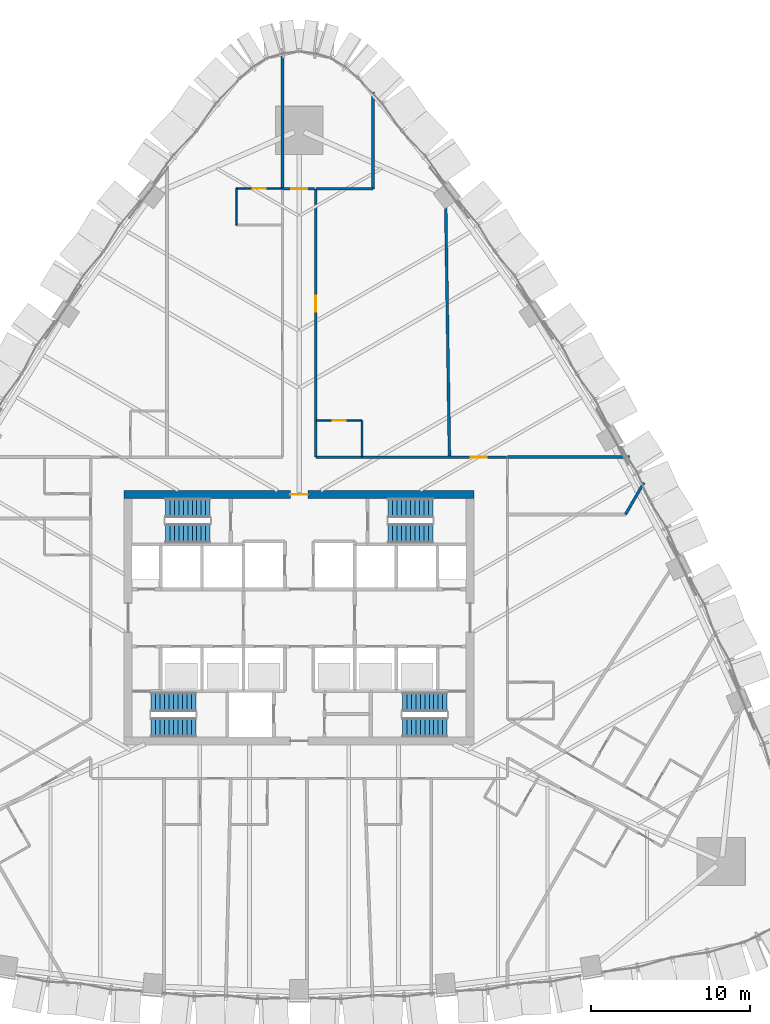
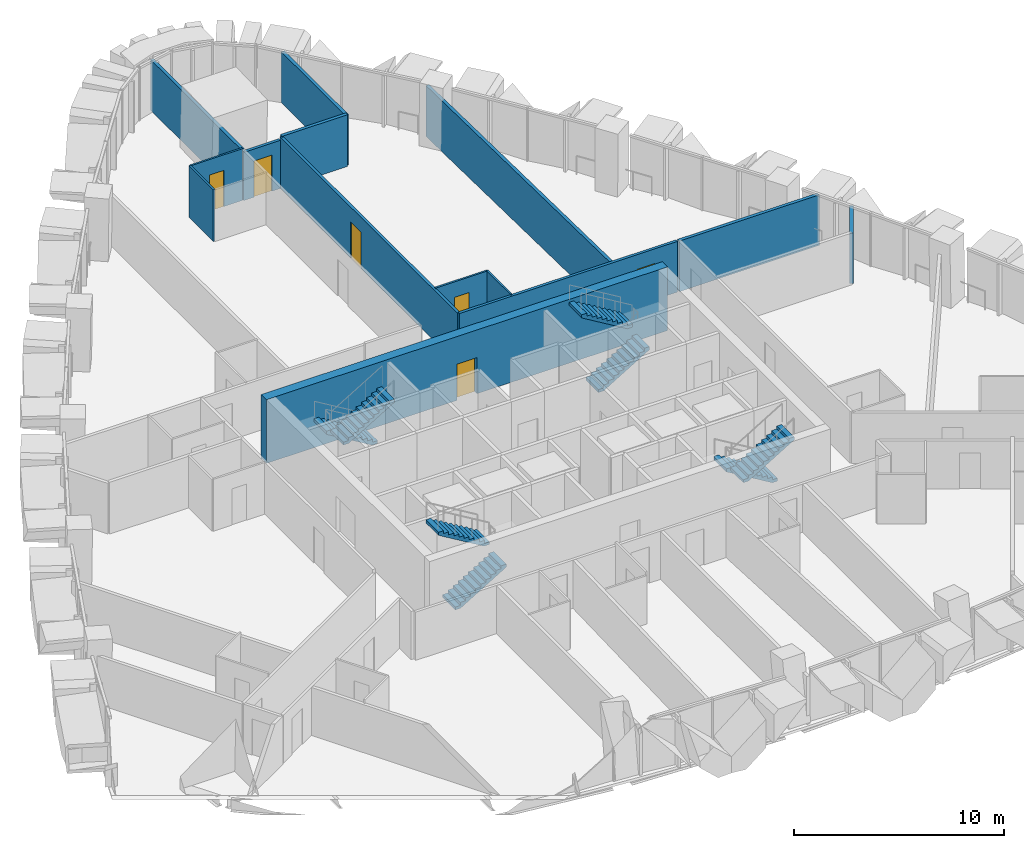
# One storey, part 17 of 23: 14 walls, 8 stair flights, 6 doors, 6 openings, 4 elements without a shape of their own.
"""IFC4 building model written with IfcOpenShell, lengths in metres."""

from ifc_helpers import new_model, si_unit, direction, frame, frame_2d, origin, place, context, subcontext, project, spatial, polyline, rectangle, outline, extrude, material, layer, layer_set, type_object, element, fill, aggregate, save


model = new_model("IFC4")

# Units and contexts
model_context = context("Model", 3, precision=1e-05, world=origin(), true_north=direction((0.0, 1.0)))
body_context = subcontext(model_context, "Body", "Model", "MODEL_VIEW")
ifc_project = project(units=[si_unit("LENGTHUNIT", "METRE"), si_unit("AREAUNIT", "SQUARE_METRE"), si_unit("VOLUMEUNIT", "CUBIC_METRE"), si_unit("PLANEANGLEUNIT", "RADIAN"), si_unit("MASSUNIT", "GRAM", prefix="KILO")], contexts=[model_context])

# Site, building, storey
site_placement = place(None, origin())
site = spatial("IfcSite", under=ifc_project, at=site_placement, CompositionType="ELEMENT")
building_placement = place(site_placement, origin())
building = spatial("IfcBuilding", under=site, at=building_placement, Name="Sierra Prisma Convention Tower", CompositionType="ELEMENT")
storey_placement = place(building_placement, frame((0.0, 0.0, 70.199951171875)))
storey = spatial("IfcBuildingStorey", under=building, at=storey_placement, Name="L13", CompositionType="ELEMENT", Elevation=70.199951171875)

# Wall
ifc_material_1 = material(Name="Gypsum board partition", Category="gypsum")
ifc_layer_1 = layer(ifc_material_1, 0.10009765625)
ifc_layer_set_1 = layer_set([ifc_layer_1], Name="Bathroom partition 100")
wall_type_1 = type_object("IfcWallType", Name="Bathroom partition 100", PredefinedType="PARTITIONING", material=ifc_layer_set_1)
wall_1_placement = place(storey_placement, frame((-3.949951171875, 24.69189453125, 0.0), z_axis=(0.0, 0.0, 1.0), x_axis=(0.0, 1.0, 0.0)))
element("IfcWall", 1, at=wall_1_placement, inside=storey, type_object=wall_type_1, Name="Partition L13 bath 16", PredefinedType="PARTITIONING", context=body_context, shape_type="SweptSolid", body=[
    extrude(rectangle(XDim=2.300048828125, YDim=0.10009765625, at=frame_2d((1.14990234375, 0.0))), origin(), (0.0, 0.0, 1.0), 3.0),
])

# Wall, opening, door
wall_2_placement = place(storey_placement, frame((-3.949951171875, 26.991943359375, 0.0), z_axis=(0.0, 0.0, 1.0), x_axis=(1.0, 0.0, 0.0)))
wall_2 = element("IfcWall", 2, at=wall_2_placement, inside=storey, type_object=wall_type_1, Name="Partition L13 bath 17", PredefinedType="PARTITIONING", context=body_context, shape_type="SweptSolid", body=[
    extrude(rectangle(XDim=2.869873046875, YDim=0.10009765625, at=frame_2d((1.43505859375, 0.0))), origin(), (0.0, 0.0, 1.0), 3.0),
])
opening_1_placement = place(wall_2_placement, frame((1.034912109375, 0.0, 0.0)))
opening_1 = element("IfcOpeningElement", 3, at=opening_1_placement, cuts=wall_2, Name="Opening L13-D003", PredefinedType="OPENING", context=body_context, shape_type="SweptSolid", body=[
    extrude(rectangle(XDim=0.800048828125, YDim=2.10009765625, at=frame_2d((0.39990234375, 1.050048828125))), frame((0.0, 0.050048828125, 0.0), z_axis=(0.0, -1.0, 0.0), x_axis=(1.0, 0.0, 0.0)), (0.0, 0.0, 1.0), 0.10009765625),
])
ifc_material_2 = material(Name="Solid core timber door leaf", Category="wood")
door_type_1 = type_object("IfcDoorType", Name="Door 800x2100 plain", OperationType="SINGLE_SWING_LEFT", PredefinedType="DOOR", material=ifc_material_2)
door_1_placement = place(opening_1_placement, origin())
door_1 = element("IfcDoor", 4, at=door_1_placement, inside=storey, type_object=door_type_1, Name="Door L13 9", OperationType="SINGLE_SWING_RIGHT", OverallHeight=2.10009765625, OverallWidth=0.800048828125, PredefinedType="DOOR", context=body_context, shape_type="SweptSolid", body=[
    extrude(rectangle(XDim=0.800048828125, YDim=2.10009765625, at=frame_2d((0.39990234375, 1.050048828125))), frame((0.0, 0.02490234375, 0.0), z_axis=(0.0, -1.0, 0.0), x_axis=(1.0, 0.0, 0.0)), (0.0, 0.0, 1.0), 0.050048828125),
])
fill(opening_1, door_1)

wall_3_placement = place(storey_placement, frame((1.080078125, 12.39990234375, 0.0), z_axis=(0.0, 0.0, 1.0), x_axis=(1.0, 0.0, 0.0)))
wall_3 = element("IfcWall", 5, at=wall_3_placement, inside=storey, type_object=wall_type_1, Name="Partition L13 bath 18", PredefinedType="PARTITIONING", context=body_context, shape_type="SweptSolid", body=[
    extrude(rectangle(XDim=2.869873046875, YDim=0.10009765625, at=frame_2d((1.43505859375, 0.0))), origin(), (0.0, 0.0, 1.0), 3.0),
])
opening_2_placement = place(wall_3_placement, frame((1.034912109375, 0.0, 0.0)))
opening_2 = element("IfcOpeningElement", 6, at=opening_2_placement, cuts=wall_3, Name="Opening L13-D002", PredefinedType="OPENING", context=body_context, shape_type="SweptSolid", body=[
    extrude(rectangle(XDim=0.800048828125, YDim=2.10009765625, at=frame_2d((0.39990234375, 1.050048828125))), frame((0.0, 0.050048828125, 0.0), z_axis=(0.0, -1.0, 0.0), x_axis=(1.0, 0.0, 0.0)), (0.0, 0.0, 1.0), 0.10009765625),
])
door_2_placement = place(opening_2_placement, origin())
door_2 = element("IfcDoor", 7, at=door_2_placement, inside=storey, type_object=door_type_1, Name="Door L13 6", OperationType="SINGLE_SWING_LEFT", OverallHeight=2.10009765625, OverallWidth=0.800048828125, PredefinedType="DOOR", context=body_context, shape_type="SweptSolid", body=[
    extrude(rectangle(XDim=0.800048828125, YDim=2.10009765625, at=frame_2d((0.39990234375, 1.050048828125))), frame((0.0, 0.02490234375, 0.0), z_axis=(0.0, -1.0, 0.0), x_axis=(1.0, 0.0, 0.0)), (0.0, 0.0, 1.0), 0.050048828125),
])
fill(opening_2, door_2)

# Wall
wall_4_placement = place(storey_placement, frame((3.949951171875, 12.39990234375, 0.0), z_axis=(0.0, 0.0, 1.0), x_axis=(0.0, -1.0, 0.0)))
element("IfcWall", 8, at=wall_4_placement, inside=storey, type_object=wall_type_1, Name="Partition L13 bath 19", PredefinedType="PARTITIONING", context=body_context, shape_type="SweptSolid", body=[
    extrude(rectangle(XDim=2.27001953125, YDim=0.10009765625, at=frame_2d((1.135009765625, 0.0))), origin(), (0.0, 0.0, 1.0), 3.0),
])

# Wall, opening, door
ifc_material_3 = material(Name="Concrete C60/75", Category="concrete")
ifc_layer_2 = layer(ifc_material_3, 0.5)
ifc_layer_set_2 = layer_set([ifc_layer_2], Name="Core wall RC 500 C60/75")
wall_type_2 = type_object("IfcWallType", Name="Core wall RC 500 C60/75", PredefinedType="SHEAR", material=ifc_layer_set_2)
wall_5_placement = place(storey_placement, frame((-11.0, 7.75, 0.0), z_axis=(0.0, 0.0, 1.0), x_axis=(1.0, 0.0, 0.0)))
wall_5 = element("IfcWall", 9, at=wall_5_placement, inside=storey, type_object=wall_type_2, Name="Core wall N L13", PredefinedType="SHEAR", context=body_context, shape_type="SweptSolid", body=[
    extrude(rectangle(XDim=22.0, YDim=0.5, at=frame_2d((11.0, 0.0))), origin(), (0.0, 0.0, 1.0), 3.699951171875),
])
opening_3_placement = place(wall_5_placement, frame((10.449951171875, 0.0, 0.0)))
opening_3 = element("IfcOpeningElement", 10, at=opening_3_placement, cuts=wall_5, Name="Opening L13-D061", PredefinedType="OPENING", context=body_context, shape_type="SweptSolid", body=[
    extrude(rectangle(XDim=1.10009765625, YDim=2.10009765625, at=frame_2d((0.550048828125, 1.050048828125))), frame((0.0, 0.25, 0.0), z_axis=(0.0, -1.0, 0.0), x_axis=(1.0, 0.0, 0.0)), (0.0, 0.0, 1.0), 0.5),
])
ifc_material_4 = material(Name="Steel fire door leaf", Category="steel")
door_type_2 = type_object("IfcDoorType", Name="Door 1100x2100 FD60S", OperationType="SINGLE_SWING_LEFT", PredefinedType="DOOR", material=ifc_material_4)
door_3_placement = place(opening_3_placement, origin())
door_3 = element("IfcDoor", 11, at=door_3_placement, inside=storey, type_object=door_type_2, Name="Door L13 62", OperationType="SINGLE_SWING_RIGHT", OverallHeight=2.10009765625, OverallWidth=1.10009765625, PredefinedType="DOOR", context=body_context, shape_type="SweptSolid", body=[
    extrude(rectangle(XDim=1.10009765625, YDim=2.10009765625, at=frame_2d((0.550048828125, 1.050048828125))), frame((0.0, 0.02490234375, 0.0), z_axis=(0.0, -1.0, 0.0), x_axis=(1.0, 0.0, 0.0)), (0.0, 0.0, 1.0), 0.050048828125),
])
fill(opening_3, door_3)

ifc_material_5 = material(Name="Gypsum board partition", Category="gypsum")
ifc_layer_3 = layer(ifc_material_5, 0.14990234375)
ifc_layer_set_3 = layer_set([ifc_layer_3], Name="Corridor wall 150 gypsum EI 60")
wall_type_3 = type_object("IfcWallType", Name="Corridor wall 150 gypsum EI 60", PredefinedType="PARTITIONING", material=ifc_layer_set_3)
wall_6_placement = place(storey_placement, frame((0.969970703125, 26.971923828125, 0.0), z_axis=(0.0, 0.0, 1.0), x_axis=(-1.0, 0.0, 0.0)))
wall_6 = element("IfcWall", 12, at=wall_6_placement, inside=storey, type_object=wall_type_3, Name="Partition L13 corr 8", PredefinedType="PARTITIONING", context=body_context, shape_type="SweptSolid", body=[
    extrude(rectangle(XDim=2.02001953125, YDim=0.14990234375, at=frame_2d((1.010009765625, 0.0))), origin(), (0.0, 0.0, 1.0), 2.797119140625),
])
opening_4_placement = place(wall_6_placement, frame((0.4599609375, 0.0, 0.0)))
opening_4 = element("IfcOpeningElement", 13, at=opening_4_placement, cuts=wall_6, Name="Opening L13-D043", PredefinedType="OPENING", context=body_context, shape_type="SweptSolid", body=[
    extrude(rectangle(XDim=1.0, YDim=2.10009765625, at=frame_2d((0.5, 1.050048828125))), frame((0.0, 0.074951171875, 0.0), z_axis=(0.0, -1.0, 0.0), x_axis=(1.0, 0.0, 0.0)), (0.0, 0.0, 1.0), 0.14990234375),
])
ifc_material_6 = material(Name="Steel fire door leaf", Category="steel")
door_type_3 = type_object("IfcDoorType", Name="Door 1000x2100 FD30S", OperationType="SINGLE_SWING_LEFT", PredefinedType="DOOR", material=ifc_material_6)
door_4_placement = place(opening_4_placement, origin())
door_4 = element("IfcDoor", 14, at=door_4_placement, inside=storey, type_object=door_type_3, Name="Door L13 7", OperationType="SINGLE_SWING_LEFT", OverallHeight=2.10009765625, OverallWidth=1.0, PredefinedType="DOOR", context=body_context, shape_type="SweptSolid", body=[
    extrude(rectangle(XDim=1.0, YDim=2.10009765625, at=frame_2d((0.5, 1.050048828125))), frame((0.0, 0.02490234375, 0.0), z_axis=(0.0, -1.0, 0.0), x_axis=(1.0, 0.0, 0.0)), (0.0, 0.0, 1.0), 0.050048828125),
])
fill(opening_4, door_4)

wall_7_placement = place(storey_placement, frame((13.02001953125, 10.10009765625, 0.0), z_axis=(0.0, 0.0, 1.0), x_axis=(-1.0, 0.0, 0.0)))
wall_7 = element("IfcWall", 15, at=wall_7_placement, inside=storey, type_object=wall_type_3, Name="Partition L13 corr 11", PredefinedType="PARTITIONING", context=body_context, shape_type="SweptSolid", body=[
    extrude(rectangle(XDim=11.969970703125, YDim=0.14990234375, at=frame_2d((5.98486328125, 0.0))), origin(), (0.0, 0.0, 1.0), 2.947021484375),
])
opening_5_placement = place(wall_7_placement, frame((1.235107421875, 0.0, 0.0)))
opening_5 = element("IfcOpeningElement", 16, at=opening_5_placement, cuts=wall_7, Name="Opening L13-D041", PredefinedType="OPENING", context=body_context, shape_type="SweptSolid", body=[
    extrude(rectangle(XDim=1.0, YDim=2.10009765625, at=frame_2d((0.5, 1.050048828125))), frame((0.0, 0.074951171875, 0.0), z_axis=(0.0, -1.0, 0.0), x_axis=(1.0, 0.0, 0.0)), (0.0, 0.0, 1.0), 0.14990234375),
])
door_5_placement = place(opening_5_placement, origin())
door_5 = element("IfcDoor", 17, at=door_5_placement, inside=storey, type_object=door_type_3, Name="Door L13 4", OperationType="SINGLE_SWING_LEFT", OverallHeight=2.10009765625, OverallWidth=1.0, PredefinedType="DOOR", context=body_context, shape_type="SweptSolid", body=[
    extrude(rectangle(XDim=1.0, YDim=2.10009765625, at=frame_2d((0.5, 1.050048828125))), frame((0.0, 0.02490234375, 0.0), z_axis=(0.0, -1.0, 0.0), x_axis=(1.0, 0.0, 0.0)), (0.0, 0.0, 1.0), 0.050048828125),
])
fill(opening_5, door_5)

wall_8_placement = place(storey_placement, frame((1.050048828125, 10.10009765625, 0.0), z_axis=(0.0, 0.0, 1.0), x_axis=(0.0, 1.0, 0.0)))
wall_8 = element("IfcWall", 18, at=wall_8_placement, inside=storey, type_object=wall_type_3, Name="Partition L13 corr 12", PredefinedType="PARTITIONING", context=body_context, shape_type="SweptSolid", body=[
    extrude(rectangle(XDim=16.871826171875, YDim=0.14990234375, at=frame_2d((8.43603515625, 0.0))), origin(), (0.0, 0.0, 1.0), 2.947021484375),
])
opening_6_placement = place(wall_8_placement, frame((9.135986328125, 0.0, 0.0)))
opening_6 = element("IfcOpeningElement", 19, at=opening_6_placement, cuts=wall_8, Name="Opening L13-D042", PredefinedType="OPENING", context=body_context, shape_type="SweptSolid", body=[
    extrude(rectangle(XDim=1.0, YDim=2.10009765625, at=frame_2d((0.5, 1.050048828125))), frame((0.0, 0.074951171875, 0.0), z_axis=(0.0, -1.0, 0.0), x_axis=(1.0, 0.0, 0.0)), (0.0, 0.0, 1.0), 0.14990234375),
])
door_6_placement = place(opening_6_placement, origin())
door_6 = element("IfcDoor", 20, at=door_6_placement, inside=storey, type_object=door_type_3, Name="Door L13 5", OperationType="SINGLE_SWING_RIGHT", OverallHeight=2.10009765625, OverallWidth=1.0, PredefinedType="DOOR", context=body_context, shape_type="SweptSolid", body=[
    extrude(rectangle(XDim=1.0, YDim=2.10009765625, at=frame_2d((0.5, 1.050048828125))), frame((0.0, 0.02490234375, 0.0), z_axis=(0.0, -1.0, 0.0), x_axis=(1.0, 0.0, 0.0)), (0.0, 0.0, 1.0), 0.050048828125),
])
fill(opening_6, door_6)

# Walls
ifc_material_7 = material(Name="Acoustic gypsum board partition", Category="gypsum")
ifc_layer_4 = layer(ifc_material_7, 0.175048828125)
ifc_layer_set_4 = layer_set([ifc_layer_4], Name="Guest room party wall 175 acoustic EI 60")
wall_type_4 = type_object("IfcWallType", Name="Guest room party wall 175 acoustic EI 60", PredefinedType="PARTITIONING", material=ifc_layer_set_4)
wall_9_placement = place(storey_placement, frame((-1.050048828125, 35.609375, 0.0), z_axis=(0.0, 0.0, 1.0), x_axis=(0.0, -1.0, 0.0)))
element("IfcWall", 21, at=wall_9_placement, inside=storey, type_object=wall_type_4, Name="Partition L13 hparty 11", PredefinedType="PARTITIONING", context=body_context, shape_type="SweptSolid", body=[
    extrude(rectangle(XDim=8.637451171875, YDim=0.175048828125, at=frame_2d((4.31884765625, 0.0))), origin(), (0.0, 0.0, 1.0), 2.93408203125),
])
wall_10_placement = place(storey_placement, frame((1.050048828125, 26.971923828125, 0.0), z_axis=(0.0, 0.0, 1.0), x_axis=(1.0, 0.0, 0.0)))
element("IfcWall", 22, at=wall_10_placement, inside=storey, type_object=wall_type_4, Name="Partition L13 hparty 13", PredefinedType="PARTITIONING", context=body_context, shape_type="SweptSolid", body=[
    extrude(rectangle(XDim=3.599853515625, YDim=0.175048828125, at=frame_2d((1.7998046875, 0.0))), origin(), (0.0, 0.0, 1.0), 3.0),
])
wall_11_placement = place(storey_placement, frame((4.64990234375, 26.971923828125, 0.0), z_axis=(0.0, 0.0, 1.0), x_axis=(0.0, 1.0, 0.0)))
element("IfcWall", 23, at=wall_11_placement, inside=storey, type_object=wall_type_4, Name="Partition L13 hparty 14", PredefinedType="PARTITIONING", context=body_context, shape_type="SweptSolid", body=[
    extrude(rectangle(XDim=6.092529296875, YDim=0.175048828125, at=frame_2d((3.04638671875, 0.0))), origin(), (0.0, 0.0, 1.0), 2.93408203125),
])
wall_12_placement = place(storey_placement, frame((9.197021484375, 27.1845703125, 0.0), z_axis=(0.0, 0.0, 1.0), x_axis=(0.014803030732, -0.999890429138, 0.0)))
element("IfcWall", 24, at=wall_12_placement, inside=storey, type_object=wall_type_4, Name="Partition L13 hparty 17", PredefinedType="PARTITIONING", context=body_context, shape_type="SweptSolid", body=[
    extrude(rectangle(XDim=17.08642578125, YDim=0.175048828125, at=frame_2d((8.543212890625, 0.0))), origin(), (0.0, 0.0, 1.0), 2.947021484375),
])
wall_13_placement = place(storey_placement, frame((20.519287109375, 6.5, 0.0), z_axis=(0.0, 0.0, 1.0), x_axis=(0.500040764516, 0.866001867101, 0.0)))
element("IfcWall", 25, at=wall_13_placement, inside=storey, type_object=wall_type_4, Name="Partition L13 hparty 21", PredefinedType="PARTITIONING", context=body_context, shape_type="SweptSolid", body=[
    extrude(rectangle(XDim=2.301513671875, YDim=0.175048828125, at=frame_2d((1.15087890625, 0.0))), origin(), (0.0, 0.0, 1.0), 2.93408203125),
])
wall_14_placement = place(storey_placement, frame((13.10009765625, 10.10009765625, 0.0), z_axis=(0.0, 0.0, 1.0), x_axis=(1.0, 0.0, 0.0)))
element("IfcWall", 26, at=wall_14_placement, inside=storey, type_object=wall_type_4, Name="Partition L13 hparty 22", PredefinedType="PARTITIONING", context=body_context, shape_type="SweptSolid", body=[
    extrude(rectangle(XDim=7.681884765625, YDim=0.175048828125, at=frame_2d((3.8408203125, 0.0))), origin(), (0.0, 0.0, 1.0), 2.93408203125),
])

# Stair, stair flights
ifc_material_8 = material(Name="Concrete C30/37", Category="concrete")
stair_type = type_object("IfcStairType", Name="Stair dog-leg 1200 RC", PredefinedType="HALF_TURN_STAIR", material=ifc_material_8)
stair_1_placement = place(storey_placement, origin())
stair_1 = element("IfcStair", 27, at=stair_1_placement, inside=storey, type_object=stair_type, Name="L13 S1", PredefinedType="HALF_TURN_STAIR")
ifc_material_9 = material(Name="Concrete C30/37", Category="concrete")
stair_flight_type = type_object("IfcStairFlightType", Name="Stair flight RC 1200", PredefinedType="STRAIGHT", material=ifc_material_9)
stair_flight_1_placement = place(storey_placement, frame((-9.300048828125, -6.89990234375, 0.0), z_axis=(0.0, 0.0, 1.0), x_axis=(1.0, 0.0, 0.0)))
stair_flight_1 = element("IfcStairFlight", 28, at=stair_flight_1_placement, type_object=stair_flight_type, Name="S1 flight 1", NumberOfRisers=11, NumberOfTreads=10, PredefinedType="STRAIGHT", RiserHeight=0.168181818, TreadLength=0.28, context=body_context, shape_type="SweptSolid", body=[
    extrude(outline(polyline([(0.0, 0.0), (0.0, 0.168212890625), (0.280029296875, 0.168212890625), (0.280029296875, 0.33642578125), (0.56005859375, 0.33642578125), (0.56005859375, 0.504638671875), (0.840087890625, 0.504638671875), (0.840087890625, 0.672607421875), (1.1201171875, 0.672607421875), (1.1201171875, 0.8408203125), (1.39990234375, 0.8408203125), (1.39990234375, 1.009033203125), (1.679931640625, 1.009033203125), (1.679931640625, 1.17724609375), (1.9599609375, 1.17724609375), (1.9599609375, 1.345458984375), (2.239990234375, 1.345458984375), (2.239990234375, 1.513671875), (2.52001953125, 1.513671875), (2.52001953125, 1.681884765625), (2.800048828125, 1.681884765625), (2.800048828125, 1.85009765625), (2.800048828125, 1.5068359375), (0.291015625, 0.0), (0.0, 0.0)])), frame((0.0, 0.60009765625, 0.0), z_axis=(0.0, -1.0, 0.0), x_axis=(1.0, 0.0, 0.0)), (0.0, 0.0, 1.0), 1.199951171875),
])
stair_flight_2_placement = place(storey_placement, frame((-6.5, -5.300048828125, 1.85009765625), z_axis=(0.0, 0.0, 1.0), x_axis=(-1.0, 0.0, 0.0)))
stair_flight_2 = element("IfcStairFlight", 29, at=stair_flight_2_placement, type_object=stair_flight_type, Name="S1 flight 2", NumberOfRisers=11, NumberOfTreads=10, PredefinedType="STRAIGHT", RiserHeight=0.168181818, TreadLength=0.28, context=body_context, shape_type="SweptSolid", body=[
    extrude(outline(polyline([(0.0, 0.0), (0.0, 0.168212890625), (0.280029296875, 0.168212890625), (0.280029296875, 0.33642578125), (0.56005859375, 0.33642578125), (0.56005859375, 0.504638671875), (0.840087890625, 0.504638671875), (0.840087890625, 0.672607421875), (1.1201171875, 0.672607421875), (1.1201171875, 0.8408203125), (1.39990234375, 0.8408203125), (1.39990234375, 1.009033203125), (1.679931640625, 1.009033203125), (1.679931640625, 1.17724609375), (1.9599609375, 1.17724609375), (1.9599609375, 1.345458984375), (2.239990234375, 1.345458984375), (2.239990234375, 1.513671875), (2.52001953125, 1.513671875), (2.52001953125, 1.681884765625), (2.800048828125, 1.681884765625), (2.800048828125, 1.85009765625), (2.800048828125, 1.5068359375), (0.291015625, 0.0), (0.0, 0.0)])), frame((0.0, 0.60009765625, 0.0), z_axis=(0.0, -1.0, 0.0), x_axis=(1.0, 0.0, 0.0)), (0.0, 0.0, 1.0), 1.199951171875),
])
aggregate(stair_1, [stair_flight_1, stair_flight_2])

stair_2_placement = place(storey_placement, origin())
stair_2 = element("IfcStair", 30, at=stair_2_placement, inside=storey, type_object=stair_type, Name="L13 S2", PredefinedType="HALF_TURN_STAIR")
stair_flight_3_placement = place(storey_placement, frame((9.300048828125, -5.300048828125, 0.0), z_axis=(0.0, 0.0, 1.0), x_axis=(-1.0, 0.0, 0.0)))
stair_flight_3 = element("IfcStairFlight", 31, at=stair_flight_3_placement, type_object=stair_flight_type, Name="S2 flight 1", NumberOfRisers=11, NumberOfTreads=10, PredefinedType="STRAIGHT", RiserHeight=0.168181818, TreadLength=0.28, context=body_context, shape_type="SweptSolid", body=[
    extrude(outline(polyline([(0.0, 0.0), (0.0, 0.168212890625), (0.280029296875, 0.168212890625), (0.280029296875, 0.33642578125), (0.56005859375, 0.33642578125), (0.56005859375, 0.504638671875), (0.840087890625, 0.504638671875), (0.840087890625, 0.672607421875), (1.1201171875, 0.672607421875), (1.1201171875, 0.8408203125), (1.39990234375, 0.8408203125), (1.39990234375, 1.009033203125), (1.679931640625, 1.009033203125), (1.679931640625, 1.17724609375), (1.9599609375, 1.17724609375), (1.9599609375, 1.345458984375), (2.239990234375, 1.345458984375), (2.239990234375, 1.513671875), (2.52001953125, 1.513671875), (2.52001953125, 1.681884765625), (2.800048828125, 1.681884765625), (2.800048828125, 1.85009765625), (2.800048828125, 1.5068359375), (0.291015625, 0.0), (0.0, 0.0)])), frame((0.0, 0.60009765625, 0.0), z_axis=(0.0, -1.0, 0.0), x_axis=(1.0, 0.0, 0.0)), (0.0, 0.0, 1.0), 1.199951171875),
])
stair_flight_4_placement = place(storey_placement, frame((6.5, -6.89990234375, 1.85009765625), z_axis=(0.0, 0.0, 1.0), x_axis=(1.0, 0.0, 0.0)))
stair_flight_4 = element("IfcStairFlight", 32, at=stair_flight_4_placement, type_object=stair_flight_type, Name="S2 flight 2", NumberOfRisers=11, NumberOfTreads=10, PredefinedType="STRAIGHT", RiserHeight=0.168181818, TreadLength=0.28, context=body_context, shape_type="SweptSolid", body=[
    extrude(outline(polyline([(0.0, 0.0), (0.0, 0.168212890625), (0.280029296875, 0.168212890625), (0.280029296875, 0.33642578125), (0.56005859375, 0.33642578125), (0.56005859375, 0.504638671875), (0.840087890625, 0.504638671875), (0.840087890625, 0.672607421875), (1.1201171875, 0.672607421875), (1.1201171875, 0.8408203125), (1.39990234375, 0.8408203125), (1.39990234375, 1.009033203125), (1.679931640625, 1.009033203125), (1.679931640625, 1.17724609375), (1.9599609375, 1.17724609375), (1.9599609375, 1.345458984375), (2.239990234375, 1.345458984375), (2.239990234375, 1.513671875), (2.52001953125, 1.513671875), (2.52001953125, 1.681884765625), (2.800048828125, 1.681884765625), (2.800048828125, 1.85009765625), (2.800048828125, 1.5068359375), (0.291015625, 0.0), (0.0, 0.0)])), frame((0.0, 0.60009765625, 0.0), z_axis=(0.0, -1.0, 0.0), x_axis=(1.0, 0.0, 0.0)), (0.0, 0.0, 1.0), 1.199951171875),
])
aggregate(stair_2, [stair_flight_3, stair_flight_4])

stair_3_placement = place(storey_placement, origin())
stair_3 = element("IfcStair", 33, at=stair_3_placement, inside=storey, type_object=stair_type, Name="L13 S3", PredefinedType="HALF_TURN_STAIR")
stair_flight_5_placement = place(storey_placement, frame((-5.60009765625, 6.89990234375, 0.0), z_axis=(0.0, 0.0, 1.0), x_axis=(-1.0, 0.0, 0.0)))
stair_flight_5 = element("IfcStairFlight", 34, at=stair_flight_5_placement, type_object=stair_flight_type, Name="S3 flight 1", NumberOfRisers=11, NumberOfTreads=10, PredefinedType="STRAIGHT", RiserHeight=0.168181818, TreadLength=0.28, context=body_context, shape_type="SweptSolid", body=[
    extrude(outline(polyline([(0.0, 0.0), (0.0, 0.168212890625), (0.280029296875, 0.168212890625), (0.280029296875, 0.33642578125), (0.56005859375, 0.33642578125), (0.56005859375, 0.504638671875), (0.840087890625, 0.504638671875), (0.840087890625, 0.672607421875), (1.1201171875, 0.672607421875), (1.1201171875, 0.8408203125), (1.39990234375, 0.8408203125), (1.39990234375, 1.009033203125), (1.679931640625, 1.009033203125), (1.679931640625, 1.17724609375), (1.9599609375, 1.17724609375), (1.9599609375, 1.345458984375), (2.239990234375, 1.345458984375), (2.239990234375, 1.513671875), (2.52001953125, 1.513671875), (2.52001953125, 1.681884765625), (2.800048828125, 1.681884765625), (2.800048828125, 1.85009765625), (2.800048828125, 1.5068359375), (0.291015625, 0.0), (0.0, 0.0)])), frame((0.0, 0.60009765625, 0.0), z_axis=(0.0, -1.0, 0.0), x_axis=(1.0, 0.0, 0.0)), (0.0, 0.0, 1.0), 1.199951171875),
])
stair_flight_6_placement = place(storey_placement, frame((-8.39990234375, 5.300048828125, 1.85009765625), z_axis=(0.0, 0.0, 1.0), x_axis=(1.0, 0.0, 0.0)))
stair_flight_6 = element("IfcStairFlight", 35, at=stair_flight_6_placement, type_object=stair_flight_type, Name="S3 flight 2", NumberOfRisers=11, NumberOfTreads=10, PredefinedType="STRAIGHT", RiserHeight=0.168181818, TreadLength=0.28, context=body_context, shape_type="SweptSolid", body=[
    extrude(outline(polyline([(0.0, 0.0), (0.0, 0.168212890625), (0.280029296875, 0.168212890625), (0.280029296875, 0.33642578125), (0.56005859375, 0.33642578125), (0.56005859375, 0.504638671875), (0.840087890625, 0.504638671875), (0.840087890625, 0.672607421875), (1.1201171875, 0.672607421875), (1.1201171875, 0.8408203125), (1.39990234375, 0.8408203125), (1.39990234375, 1.009033203125), (1.679931640625, 1.009033203125), (1.679931640625, 1.17724609375), (1.9599609375, 1.17724609375), (1.9599609375, 1.345458984375), (2.239990234375, 1.345458984375), (2.239990234375, 1.513671875), (2.52001953125, 1.513671875), (2.52001953125, 1.681884765625), (2.800048828125, 1.681884765625), (2.800048828125, 1.85009765625), (2.800048828125, 1.5068359375), (0.291015625, 0.0), (0.0, 0.0)])), frame((0.0, 0.60009765625, 0.0), z_axis=(0.0, -1.0, 0.0), x_axis=(1.0, 0.0, 0.0)), (0.0, 0.0, 1.0), 1.199951171875),
])
aggregate(stair_3, [stair_flight_5, stair_flight_6])

stair_4_placement = place(storey_placement, origin())
stair_4 = element("IfcStair", 36, at=stair_4_placement, inside=storey, type_object=stair_type, Name="L13 S4", PredefinedType="HALF_TURN_STAIR")
stair_flight_7_placement = place(storey_placement, frame((5.60009765625, 5.300048828125, 0.0), z_axis=(0.0, 0.0, 1.0), x_axis=(1.0, 0.0, 0.0)))
stair_flight_7 = element("IfcStairFlight", 37, at=stair_flight_7_placement, type_object=stair_flight_type, Name="S4 flight 1", NumberOfRisers=11, NumberOfTreads=10, PredefinedType="STRAIGHT", RiserHeight=0.168181818, TreadLength=0.28, context=body_context, shape_type="SweptSolid", body=[
    extrude(outline(polyline([(0.0, 0.0), (0.0, 0.168212890625), (0.280029296875, 0.168212890625), (0.280029296875, 0.33642578125), (0.56005859375, 0.33642578125), (0.56005859375, 0.504638671875), (0.840087890625, 0.504638671875), (0.840087890625, 0.672607421875), (1.1201171875, 0.672607421875), (1.1201171875, 0.8408203125), (1.39990234375, 0.8408203125), (1.39990234375, 1.009033203125), (1.679931640625, 1.009033203125), (1.679931640625, 1.17724609375), (1.9599609375, 1.17724609375), (1.9599609375, 1.345458984375), (2.239990234375, 1.345458984375), (2.239990234375, 1.513671875), (2.52001953125, 1.513671875), (2.52001953125, 1.681884765625), (2.800048828125, 1.681884765625), (2.800048828125, 1.85009765625), (2.800048828125, 1.5068359375), (0.291015625, 0.0), (0.0, 0.0)])), frame((0.0, 0.60009765625, 0.0), z_axis=(0.0, -1.0, 0.0), x_axis=(1.0, 0.0, 0.0)), (0.0, 0.0, 1.0), 1.199951171875),
])
stair_flight_8_placement = place(storey_placement, frame((8.39990234375, 6.89990234375, 1.85009765625), z_axis=(0.0, 0.0, 1.0), x_axis=(-1.0, 0.0, 0.0)))
stair_flight_8 = element("IfcStairFlight", 38, at=stair_flight_8_placement, type_object=stair_flight_type, Name="S4 flight 2", NumberOfRisers=11, NumberOfTreads=10, PredefinedType="STRAIGHT", RiserHeight=0.168181818, TreadLength=0.28, context=body_context, shape_type="SweptSolid", body=[
    extrude(outline(polyline([(0.0, 0.0), (0.0, 0.168212890625), (0.280029296875, 0.168212890625), (0.280029296875, 0.33642578125), (0.56005859375, 0.33642578125), (0.56005859375, 0.504638671875), (0.840087890625, 0.504638671875), (0.840087890625, 0.672607421875), (1.1201171875, 0.672607421875), (1.1201171875, 0.8408203125), (1.39990234375, 0.8408203125), (1.39990234375, 1.009033203125), (1.679931640625, 1.009033203125), (1.679931640625, 1.17724609375), (1.9599609375, 1.17724609375), (1.9599609375, 1.345458984375), (2.239990234375, 1.345458984375), (2.239990234375, 1.513671875), (2.52001953125, 1.513671875), (2.52001953125, 1.681884765625), (2.800048828125, 1.681884765625), (2.800048828125, 1.85009765625), (2.800048828125, 1.5068359375), (0.291015625, 0.0), (0.0, 0.0)])), frame((0.0, 0.60009765625, 0.0), z_axis=(0.0, -1.0, 0.0), x_axis=(1.0, 0.0, 0.0)), (0.0, 0.0, 1.0), 1.199951171875),
])
aggregate(stair_4, [stair_flight_7, stair_flight_8])

save(model, "model.ifc")
